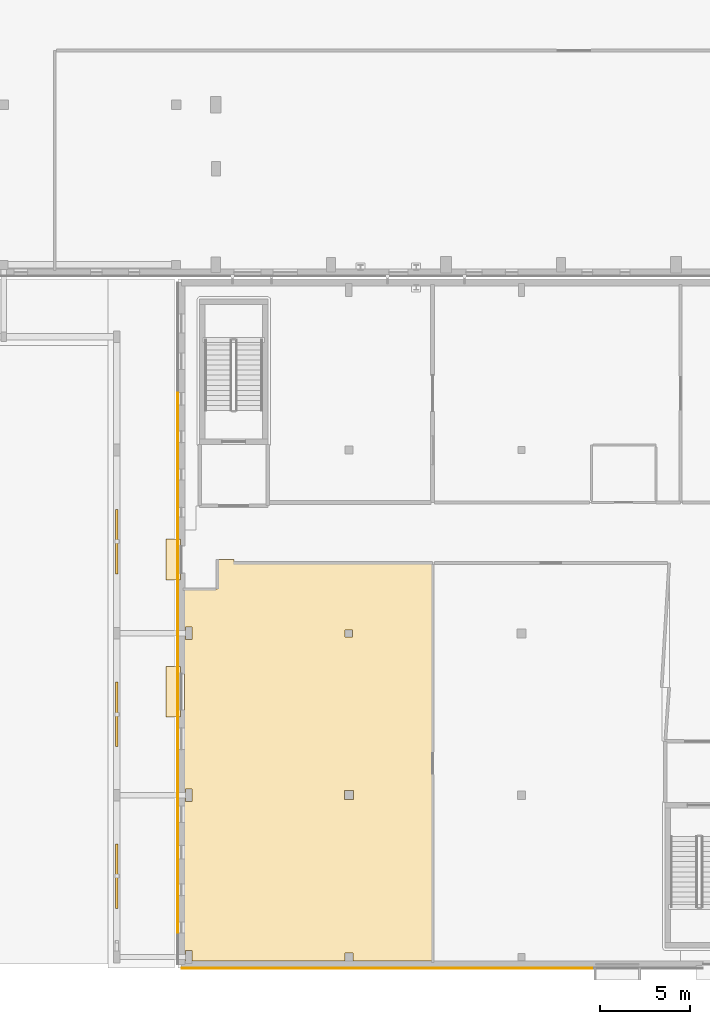
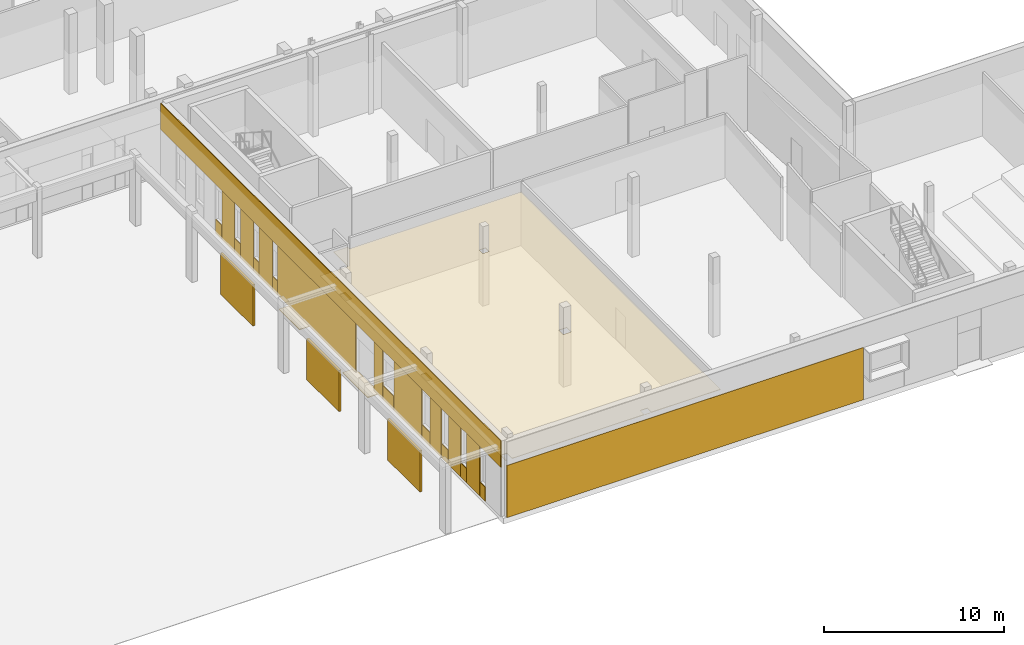
# One storey, part 62 of 84: 23 coverings, 3 shading devices.
"""IFC4 building model written with IfcOpenShell, lengths in metres."""

from ifc_helpers import new_model, si_unit, direction, frame, origin, origin_2d, place, context, subcontext, project, spatial, polyline, rectangle, outline, extrude, material, layer, layer_set, type_object, element, save


model = new_model("IFC4")

# Units and contexts
model_context = context("Model", 3, precision=1e-05, world=origin(), true_north=direction((0.0, 1.0)))
body_context = subcontext(model_context, "Body", "Model", "MODEL_VIEW")
ifc_project = project(units=[si_unit("LENGTHUNIT", "METRE"), si_unit("AREAUNIT", "SQUARE_METRE"), si_unit("VOLUMEUNIT", "CUBIC_METRE"), si_unit("PLANEANGLEUNIT", "RADIAN"), si_unit("MASSUNIT", "GRAM", prefix="KILO")], contexts=[model_context])

# Site, building, storey
site_placement = place(None, origin())
site = spatial("IfcSite", under=ifc_project, at=site_placement, CompositionType="ELEMENT")
building_placement = place(site_placement, origin())
building = spatial("IfcBuilding", under=site, at=building_placement, Name="Mzevani Central Library", CompositionType="ELEMENT")
storey_placement = place(building_placement, origin())
storey = spatial("IfcBuildingStorey", under=building, at=storey_placement, Name="L00", CompositionType="ELEMENT", Elevation=0.0)

# Coverings
ifc_material_1 = material(Name="Limestone ashlar cladding", Category="masonry")
ifc_layer_1 = layer(ifc_material_1, 0.050048828125, Name="Limestone Ashlar Spandrel Cladding")
ifc_layer_set_1 = layer_set([ifc_layer_1], Name="Limestone ashlar cladding")
covering_type_1 = type_object("IfcCoveringType", Name="Limestone Ashlar Spandrel Cladding", PredefinedType="CLADDING", material=ifc_layer_set_1)
covering_1_placement = place(storey_placement, frame((123.764892578125, 3.97607421875, 0.0), z_axis=(0.0, 0.0, 1.0), x_axis=(-1.0, 0.0, 0.0)))
element("IfcCovering", 1, at=covering_1_placement, inside=storey, type_object=covering_type_1, Name="L00 Warm-White Facade Pier 4 (EW4-V6-L00-0101)", PredefinedType="CLADDING", context=body_context, shape_type="SweptSolid", body=[
    extrude(rectangle(XDim=22.90966796875, YDim=0.050048828125, at=origin_2d()), origin(), (0.0, 0.0, 1.0), 3.550048828125),
])
covering_2_placement = place(storey_placement, frame((112.075927734375, 23.14990234375, 3.35009765625), z_axis=(0.0, 0.0, 1.0), x_axis=(0.0, 1.0, 0.0)))
element("IfcCovering", 2, at=covering_2_placement, inside=storey, type_object=covering_type_1, Name="L00 Warm-White Facade Spandrel (EW4-V6-L00-0102)", PredefinedType="CLADDING", context=body_context, shape_type="SweptSolid", body=[
    extrude(rectangle(XDim=37.8798828125, YDim=0.050048828125, at=origin_2d()), origin(), (0.0, 0.0, 1.0), 1.7900390625),
])
covering_3_placement = place(storey_placement, frame((112.075927734375, 6.239990234375, 0.0), z_axis=(0.0, 0.0, 1.0), x_axis=(0.0, 1.0, 0.0)))
element("IfcCovering", 3, at=covering_3_placement, inside=storey, type_object=covering_type_1, Name="L00 Warm-White Sill Cladding 2 (EW4-V6-L00-0102)", PredefinedType="CLADDING", context=body_context, shape_type="SweptSolid", body=[
    extrude(rectangle(XDim=0.60009765625, YDim=0.050048828125, at=origin_2d()), origin(), (0.0, 0.0, 1.0), 0.949951171875),
])
covering_4_placement = place(storey_placement, frame((112.075927734375, 7.277587890625, 0.0), z_axis=(0.0, 0.0, 1.0), x_axis=(0.0, 1.0, 0.0)))
element("IfcCovering", 4, at=covering_4_placement, inside=storey, type_object=covering_type_1, Name="L00 Warm-White Facade Pier 3 (EW4-V6-L00-0102)", PredefinedType="CLADDING", context=body_context, shape_type="SweptSolid", body=[
    extrude(rectangle(XDim=1.43505859375, YDim=0.050048828125, at=origin_2d()), origin(), (0.0, 0.0, 1.0), 3.35009765625),
])
covering_5_placement = place(storey_placement, frame((112.075927734375, 8.340087890625, 0.0), z_axis=(0.0, 0.0, 1.0), x_axis=(0.0, 1.0, 0.0)))
element("IfcCovering", 5, at=covering_5_placement, inside=storey, type_object=covering_type_1, Name="L00 Warm-White Sill Cladding 4 (EW4-V6-L00-0102)", PredefinedType="CLADDING", context=body_context, shape_type="SweptSolid", body=[
    extrude(rectangle(XDim=0.64990234375, YDim=0.050048828125, at=origin_2d()), origin(), (0.0, 0.0, 1.0), 0.949951171875),
])
covering_6_placement = place(storey_placement, frame((112.075927734375, 9.364990234375, 0.0), z_axis=(0.0, 0.0, 1.0), x_axis=(0.0, 1.0, 0.0)))
element("IfcCovering", 6, at=covering_6_placement, inside=storey, type_object=covering_type_1, Name="L00 Warm-White Facade Pier 5 (EW4-V6-L00-0102)", PredefinedType="CLADDING", context=body_context, shape_type="SweptSolid", body=[
    extrude(rectangle(XDim=1.360107421875, YDim=0.050048828125, at=origin_2d()), origin(), (0.0, 0.0, 1.0), 3.35009765625),
])
covering_7_placement = place(storey_placement, frame((112.075927734375, 10.43994140625, 0.0), z_axis=(0.0, 0.0, 1.0), x_axis=(0.0, 1.0, 0.0)))
element("IfcCovering", 7, at=covering_7_placement, inside=storey, type_object=covering_type_1, Name="L00 Warm-White Sill Cladding 6 (EW4-V6-L00-0102)", PredefinedType="CLADDING", context=body_context, shape_type="SweptSolid", body=[
    extrude(rectangle(XDim=0.75, YDim=0.050048828125, at=origin_2d()), origin(), (0.0, 0.0, 1.0), 0.949951171875),
])
covering_8_placement = place(storey_placement, frame((112.075927734375, 11.452392578125, 0.0), z_axis=(0.0, 0.0, 1.0), x_axis=(0.0, 1.0, 0.0)))
element("IfcCovering", 8, at=covering_8_placement, inside=storey, type_object=covering_type_1, Name="L00 Warm-White Facade Pier 7 (EW4-V6-L00-0102)", PredefinedType="CLADDING", context=body_context, shape_type="SweptSolid", body=[
    extrude(rectangle(XDim=1.235107421875, YDim=0.050048828125, at=origin_2d()), origin(), (0.0, 0.0, 1.0), 3.35009765625),
])
covering_9_placement = place(storey_placement, frame((112.075927734375, 12.5400390625, 0.0), z_axis=(0.0, 0.0, 1.0), x_axis=(0.0, 1.0, 0.0)))
element("IfcCovering", 9, at=covering_9_placement, inside=storey, type_object=covering_type_1, Name="L00 Warm-White Sill Cladding 8 (EW4-V6-L00-0102)", PredefinedType="CLADDING", context=body_context, shape_type="SweptSolid", body=[
    extrude(rectangle(XDim=0.89990234375, YDim=0.050048828125, at=origin_2d()), origin(), (0.0, 0.0, 1.0), 0.949951171875),
])
covering_10_placement = place(storey_placement, frame((112.075927734375, 14.56494140625, 0.0), z_axis=(0.0, 0.0, 1.0), x_axis=(0.0, 1.0, 0.0)))
element("IfcCovering", 10, at=covering_10_placement, inside=storey, type_object=covering_type_1, Name="L00 Warm-White Facade Pier 9 (EW4-V6-L00-0102)", PredefinedType="CLADDING", context=body_context, shape_type="SweptSolid", body=[
    extrude(rectangle(XDim=3.110107421875, YDim=0.050048828125, at=origin_2d()), origin(), (0.0, 0.0, 1.0), 3.35009765625),
])
covering_11_placement = place(storey_placement, frame((112.075927734375, 16.739990234375, 0.0), z_axis=(0.0, 0.0, 1.0), x_axis=(0.0, 1.0, 0.0)))
element("IfcCovering", 11, at=covering_11_placement, inside=storey, type_object=covering_type_1, Name="L00 Warm-White Sill Cladding 10 (EW4-V6-L00-0102)", PredefinedType="CLADDING", context=body_context, shape_type="SweptSolid", body=[
    extrude(rectangle(XDim=1.199951171875, YDim=0.050048828125, at=origin_2d()), origin(), (0.0, 0.0, 1.0), 0.949951171875),
])
covering_12_placement = place(storey_placement, frame((112.075927734375, 17.844970703125, 0.0), z_axis=(0.0, 0.0, 1.0), x_axis=(0.0, 1.0, 0.0)))
element("IfcCovering", 12, at=covering_12_placement, inside=storey, type_object=covering_type_1, Name="L00 Warm-White Facade Pier 11 (EW4-V6-L00-0102)", PredefinedType="CLADDING", context=body_context, shape_type="SweptSolid", body=[
    extrude(rectangle(XDim=0.969970703125, YDim=0.050048828125, at=origin_2d()), origin(), (0.0, 0.0, 1.0), 3.35009765625),
])
covering_13_placement = place(storey_placement, frame((112.075927734375, 24.70751953125, 0.0), z_axis=(0.0, 0.0, 1.0), x_axis=(0.0, 1.0, 0.0)))
element("IfcCovering", 13, at=covering_13_placement, inside=storey, type_object=covering_type_1, Name="L00 Warm-White Facade Pier 12 (EW4-V6-L00-0102)", PredefinedType="CLADDING", context=body_context, shape_type="SweptSolid", body=[
    extrude(rectangle(XDim=8.675048828125, YDim=0.050048828125, at=origin_2d()), origin(), (0.0, 0.0, 1.0), 3.35009765625),
])
covering_14_placement = place(storey_placement, frame((112.075927734375, 29.340087890625, 0.0), z_axis=(0.0, 0.0, 1.0), x_axis=(0.0, 1.0, 0.0)))
element("IfcCovering", 14, at=covering_14_placement, inside=storey, type_object=covering_type_1, Name="L00 Warm-White Sill Cladding 13 (EW4-V6-L00-0102)", PredefinedType="CLADDING", context=body_context, shape_type="SweptSolid", body=[
    extrude(rectangle(XDim=0.550048828125, YDim=0.050048828125, at=origin_2d()), origin(), (0.0, 0.0, 1.0), 0.949951171875),
])
covering_15_placement = place(storey_placement, frame((112.075927734375, 30.37744140625, 0.0), z_axis=(0.0, 0.0, 1.0), x_axis=(0.0, 1.0, 0.0)))
element("IfcCovering", 15, at=covering_15_placement, inside=storey, type_object=covering_type_1, Name="L00 Warm-White Facade Pier 14 (EW4-V6-L00-0102)", PredefinedType="CLADDING", context=body_context, shape_type="SweptSolid", body=[
    extrude(rectangle(XDim=1.485107421875, YDim=0.050048828125, at=origin_2d()), origin(), (0.0, 0.0, 1.0), 3.35009765625),
])
covering_16_placement = place(storey_placement, frame((112.075927734375, 31.43994140625, 0.0), z_axis=(0.0, 0.0, 1.0), x_axis=(0.0, 1.0, 0.0)))
element("IfcCovering", 16, at=covering_16_placement, inside=storey, type_object=covering_type_1, Name="L00 Warm-White Sill Cladding 15 (EW4-V6-L00-0102)", PredefinedType="CLADDING", context=body_context, shape_type="SweptSolid", body=[
    extrude(rectangle(XDim=0.60009765625, YDim=0.050048828125, at=origin_2d()), origin(), (0.0, 0.0, 1.0), 0.949951171875),
])
covering_17_placement = place(storey_placement, frame((112.075927734375, 32.4775390625, 0.0), z_axis=(0.0, 0.0, 1.0), x_axis=(0.0, 1.0, 0.0)))
element("IfcCovering", 17, at=covering_17_placement, inside=storey, type_object=covering_type_1, Name="L00 Warm-White Facade Pier 16 (EW4-V6-L00-0102)", PredefinedType="CLADDING", context=body_context, shape_type="SweptSolid", body=[
    extrude(rectangle(XDim=1.43505859375, YDim=0.050048828125, at=origin_2d()), origin(), (0.0, 0.0, 1.0), 3.35009765625),
])
covering_18_placement = place(storey_placement, frame((112.075927734375, 33.5400390625, 0.0), z_axis=(0.0, 0.0, 1.0), x_axis=(0.0, 1.0, 0.0)))
element("IfcCovering", 18, at=covering_18_placement, inside=storey, type_object=covering_type_1, Name="L00 Warm-White Sill Cladding 17 (EW4-V6-L00-0102)", PredefinedType="CLADDING", context=body_context, shape_type="SweptSolid", body=[
    extrude(rectangle(XDim=0.64990234375, YDim=0.050048828125, at=origin_2d()), origin(), (0.0, 0.0, 1.0), 0.949951171875),
])
covering_19_placement = place(storey_placement, frame((112.075927734375, 34.577392578125, 0.0), z_axis=(0.0, 0.0, 1.0), x_axis=(0.0, 1.0, 0.0)))
element("IfcCovering", 19, at=covering_19_placement, inside=storey, type_object=covering_type_1, Name="L00 Warm-White Facade Pier 18 (EW4-V6-L00-0102)", PredefinedType="CLADDING", context=body_context, shape_type="SweptSolid", body=[
    extrude(rectangle(XDim=1.385009765625, YDim=0.050048828125, at=origin_2d()), origin(), (0.0, 0.0, 1.0), 3.35009765625),
])
covering_20_placement = place(storey_placement, frame((112.075927734375, 35.639892578125, 0.0), z_axis=(0.0, 0.0, 1.0), x_axis=(0.0, 1.0, 0.0)))
element("IfcCovering", 20, at=covering_20_placement, inside=storey, type_object=covering_type_1, Name="L00 Warm-White Sill Cladding 19 (EW4-V6-L00-0102)", PredefinedType="CLADDING", context=body_context, shape_type="SweptSolid", body=[
    extrude(rectangle(XDim=0.699951171875, YDim=0.050048828125, at=origin_2d()), origin(), (0.0, 0.0, 1.0), 0.949951171875),
])
ifc_material_2 = material(Name="Mineral wool acoustic ceiling")
ifc_layer_2 = layer(ifc_material_2, 0.0400390625, Name="Perforated Timber Acoustic Ceiling")
ifc_layer_set_2 = layer_set([ifc_layer_2], Name="Mineral wool acoustic ceiling")
covering_type_2 = type_object("IfcCoveringType", Name="Perforated Timber Acoustic Ceiling", PredefinedType="CEILING", material=ifc_layer_set_2)
covering_21_placement = place(storey_placement, frame((0.0, 0.0, 3.550048828125)))
element("IfcCovering", 21, at=covering_21_placement, inside=storey, type_object=covering_type_2, Name="L00 Children's Picture-Book Reading Room Acoustic Ceiling", PredefinedType="CEILING", context=body_context, shape_type="SweptSolid", body=[
    extrude(outline(polyline([(115.199951171875, 26.7099609375), (115.2099609375, 26.530029296875), (126.273681640625, 26.524658203125), (126.269775390625, 4.37109375), (112.875, 4.3701171875), (112.875, 4.949951171875), (112.52490234375, 4.949951171875), (112.52490234375, 4.3701171875), (112.47119140625, 4.375244140625), (112.469970703125, 25.05810546875), (114.2900390625, 25.067138671875), (114.291259765625, 26.70458984375), (115.199951171875, 26.7099609375)]), holes=[polyline([(112.875, 13.949951171875), (112.52490234375, 13.949951171875), (112.52490234375, 13.25), (112.875, 13.25), (112.875, 13.949951171875)]), polyline([(112.875, 22.25), (112.875, 22.949951171875), (112.52490234375, 22.949951171875), (112.52490234375, 22.25), (112.875, 22.25)]), polyline([(121.375, 4.375), (121.824951171875, 4.375), (121.824951171875, 4.824951171875), (121.375, 4.824951171875), (121.375, 4.375)]), polyline([(121.35009765625, 13.85009765625), (121.35009765625, 13.35009765625), (121.85009765625, 13.35009765625), (121.85009765625, 13.85009765625), (121.35009765625, 13.85009765625)]), polyline([(121.800048828125, 22.800048828125), (121.39990234375, 22.800048828125), (121.39990234375, 22.39990234375), (121.800048828125, 22.39990234375), (121.800048828125, 22.800048828125)])]), origin(), (0.0, 0.0, 1.0), 0.0400390625),
])

# Shading devices
ifc_material_3 = material(Name="Precast concrete C40/50", Category="concrete")
ifc_layer_3 = layer(ifc_material_3, 0.139892578125, Name="Precast Concrete Desert Breeze-Block Screen")
ifc_layer_set_3 = layer_set([ifc_layer_3], Name="Precast concrete C40/50")
shading_device_type = type_object("IfcShadingDeviceType", Name="Precast Concrete Desert Breeze-Block Screen", PredefinedType="JALOUSIE", material=ifc_layer_set_3)
for number, where, z_axis, x_axis, name in (
    (22, (108.699951171875, 9.10009765625, 1.0), (0.0, 0.0, 1.0), (1.0, 0.0, 0.0), "L00 Precast Breeze-Block Solar Screen 4"),
    (23, (108.699951171875, 18.10009765625, 1.0), (0.0, 0.0, 1.0), (1.0, 0.0, 0.0), "L00 Precast Breeze-Block Solar Screen 5"),
    (24, (108.699951171875, 27.699951171875, 1.0), (0.0, 0.0, 1.0), (1.0, 0.0, 0.0), "L00 Precast Breeze-Block Solar Screen 6"),
):
    element("IfcShadingDevice", number, at=place(storey_placement, frame(where, z_axis=z_axis, x_axis=x_axis)), inside=storey, type_object=shading_device_type, Name=name, PredefinedType="JALOUSIE", context=body_context, shape_type="SweptSolid", body=[
        extrude(rectangle(XDim=0.139892578125, YDim=3.60009765625, at=origin_2d()), origin(), (0.0, 0.0, 1.0), 2.800048828125),
    ])

# Coverings
ifc_material_4 = material(Name="Terrazzo stone flooring", Category="masonry")
ifc_layer_4 = layer(ifc_material_4, 0.030029296875, Name="Terrazzo Stone Floor Finish")
ifc_layer_set_4 = layer_set([ifc_layer_4], Name="Terrazzo stone flooring")
covering_type_3 = type_object("IfcCoveringType", Name="Terrazzo Stone Floor Finish", PredefinedType="FLOORING", material=ifc_layer_set_4)
covering_22_placement = place(storey_placement, frame((111.840087890625, 26.70703125, -0.0400390625), z_axis=(0.0, 0.0, 1.0), x_axis=(0.0, 1.0, 0.0)))
element("IfcCovering", 25, at=covering_22_placement, inside=storey, type_object=covering_type_3, Name="L00 V6 Protected Exit Corridor Final Discharge Apron", PredefinedType="FLOORING", context=body_context, shape_type="SweptSolid", body=[
    extrude(rectangle(XDim=2.300048828125, YDim=0.800048828125, at=origin_2d()), origin(), (0.0, 0.0, 1.0), 0.0400390625),
])
covering_23_placement = place(storey_placement, frame((111.840087890625, 19.35009765625, -0.0400390625), z_axis=(0.0, 0.0, 1.0), x_axis=(0.0, 1.0, 0.0)))
element("IfcCovering", 26, at=covering_23_placement, inside=storey, type_object=covering_type_3, Name="L00 V6 Exterior Entrance Threshold Apron (41)", PredefinedType="FLOORING", context=body_context, shape_type="SweptSolid", body=[
    extrude(rectangle(XDim=2.800048828125, YDim=0.800048828125, at=origin_2d()), origin(), (0.0, 0.0, 1.0), 0.0400390625),
])

save(model, "model.ifc")
